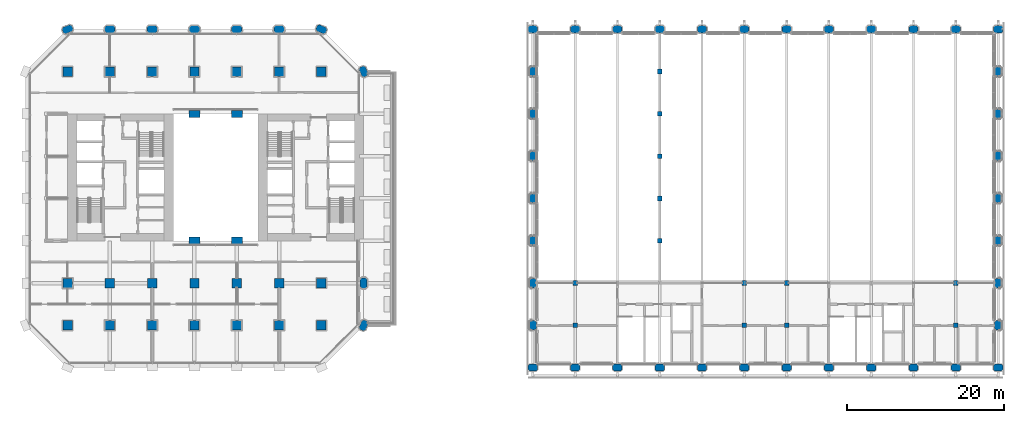
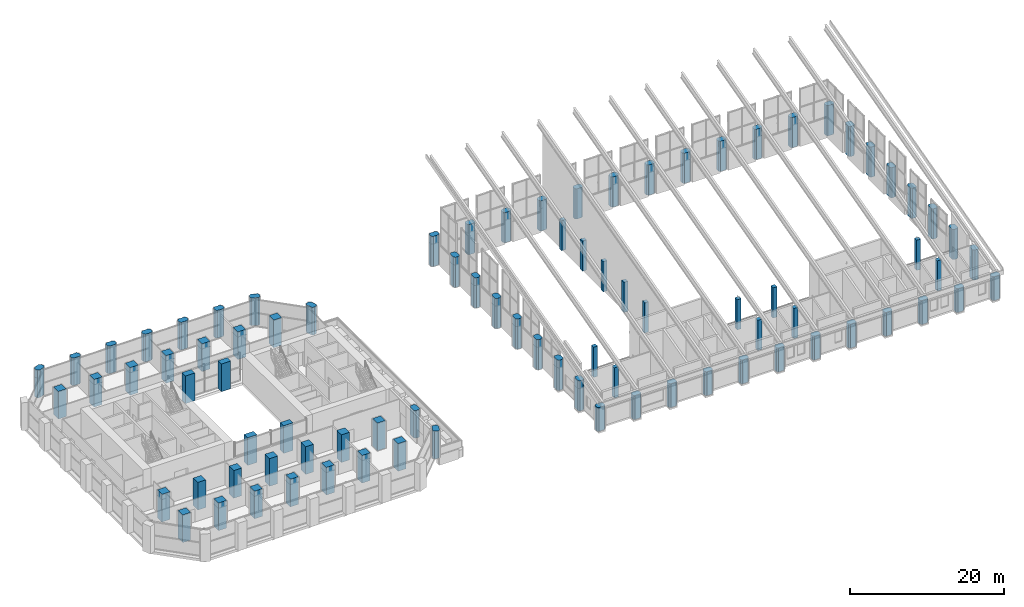
# One storey, part 1 of 42: 86 columns.
"""IFC4 building model written with IfcOpenShell, lengths in metres."""

import ifcopenshell
import ifcopenshell.guid

model = None  # the IFC model being written
_history = None  # IfcOwnerHistory: only IFC2X3 demands one
_inside = {}  # id of a spatial element -> (the spatial element, [elements in it])
_under = {}  # id of a project, library or spatial element -> (it, [spatial elements below it])
_declared = {}  # id of a project -> (the project, [libraries it declares])
_typed = {}  # id of a type object -> (the type object, [elements of that type])
_made_of = {}  # id of a material, layer set ... -> (it, [elements and type objects made of it])


def new_model(schema):
    """Start an empty IFC model of exactly this schema.

    Asked for "IFC4X3", IfcOpenShell would pick the latest addendum, in which some entities
    have other attributes; the version numbers below select the first issue.
    IFC2X3 requires an IfcOwnerHistory on every rooted entity: one is made here for all.
    """
    global model, _history
    if schema == "IFC4X3":
        model = ifcopenshell.file(schema_version=(4, 3, 0, 0))
    else:
        model = ifcopenshell.file(schema=schema)
    _inside.clear()
    _under.clear()
    _declared.clear()
    _typed.clear()
    _made_of.clear()
    _history = None
    if model.schema == "IFC2X3":
        org = make("IfcOrganization", Name="unknown")
        user = make(
            "IfcPersonAndOrganization",
            ThePerson=make("IfcPerson", FamilyName="unknown"),
            TheOrganization=org,
        )
        app = make(
            "IfcApplication",
            ApplicationDeveloper=org,
            Version="unknown",
            ApplicationFullName="unknown",
            ApplicationIdentifier="unknown",
        )
        _history = make(
            "IfcOwnerHistory",
            OwningUser=user,
            OwningApplication=app,
            ChangeAction="ADDED",
            CreationDate=0,
        )
    return model


def make(cls, **values):
    """One entity of the class cls with the attributes given. An attribute that is None is left unset."""
    return model.create_entity(
        cls, **{name: value for name, value in values.items() if value is not None}
    )


def rooted(cls, **values):
    """An entity with a GlobalId (a new one), such as an element, a storey or a relation."""
    return make(cls, GlobalId=ifcopenshell.guid.new(), OwnerHistory=_history, **values)


def si_unit(unit_type, name, prefix=None):
    """IfcSIUnit, for example si_unit("LENGTHUNIT", "METRE", prefix="MILLI")."""
    return make("IfcSIUnit", UnitType=unit_type, Prefix=prefix, Name=name)


def assignment(units):
    """IfcUnitAssignment: the units of a project."""
    return None if units is None else make("IfcUnitAssignment", Units=units)


def point(xyz):
    """IfcCartesianPoint."""
    return None if xyz is None else make("IfcCartesianPoint", Coordinates=xyz)


def direction(xyz):
    """IfcDirection."""
    return None if xyz is None else make("IfcDirection", DirectionRatios=xyz)


def frame(location, z_axis=None, x_axis=None):
    """IfcAxis2Placement3D, a coordinate frame: its origin and axes. An axis left out is left unset."""
    return make(
        "IfcAxis2Placement3D",
        Location=point(location),
        Axis=direction(z_axis),
        RefDirection=direction(x_axis),
    )


def frame_2d(location, x_axis=None):
    """IfcAxis2Placement2D, a coordinate frame in the plane: its origin and x axis."""
    return make(
        "IfcAxis2Placement2D", Location=point(location), RefDirection=direction(x_axis)
    )


def origin():
    """The frame at (0, 0, 0) with its axes left unset."""
    return frame((0.0, 0.0, 0.0))


def origin_2d():
    """The frame at (0, 0) in the plane with its x axis left unset."""
    return frame_2d((0.0, 0.0))


def place(relative_to, where):
    """IfcLocalPlacement: puts the frame where relative to a parent placement (None: the world)."""
    return make(
        "IfcLocalPlacement", PlacementRelTo=relative_to, RelativePlacement=where
    )


def context(
    kind, dimensions, precision=None, world=None, true_north=None, identifier=None
):
    """IfcGeometricRepresentationContext, for example the 3D "Model" context."""
    return make(
        "IfcGeometricRepresentationContext",
        ContextIdentifier=identifier,
        ContextType=kind,
        CoordinateSpaceDimension=dimensions,
        Precision=precision,
        WorldCoordinateSystem=world,
        TrueNorth=true_north,
    )


def subcontext(parent, identifier, kind, view, scale=None):
    """IfcGeometricRepresentationSubContext, for example "Body" below "Model"."""
    return make(
        "IfcGeometricRepresentationSubContext",
        ContextIdentifier=identifier,
        ContextType=kind,
        ParentContext=parent,
        TargetScale=scale,
        TargetView=view,
    )


def project(units=None, contexts=None):
    """IfcProject with its units and contexts."""
    return rooted(
        "IfcProject",
        Name="project",
        RepresentationContexts=contexts,
        UnitsInContext=assignment(units),
    )


def spatial(cls, under=None, at=None, **own):
    """A site, building, storey or space (cls), placed at a placement, below another one or the project."""
    s = rooted(cls, ObjectPlacement=at, **own)
    if under is not None:
        _under.setdefault(under.id(), (under, []))[1].append(s)
    return s


def polyline(points):
    """IfcPolyline through the points."""
    return make("IfcPolyline", Points=[point(p) for p in points])


def profile(cls, at=None, kind="AREA", **sizes):
    """A parametric profile (cls). Its sizes go by their IFC names, for example OverallWidth=200.0."""
    return make(cls, ProfileType=kind, Position=at, **sizes)


def rectangle(**sizes):
    """IfcRectangleProfileDef."""
    return profile("IfcRectangleProfileDef", **sizes)


def outline(outer, holes=None, kind="AREA"):
    """IfcArbitraryClosedProfileDef: a profile drawn as a closed curve; with holes, ...WithVoids."""
    if holes is None:
        return make("IfcArbitraryClosedProfileDef", ProfileType=kind, OuterCurve=outer)
    return make(
        "IfcArbitraryProfileDefWithVoids",
        ProfileType=kind,
        OuterCurve=outer,
        InnerCurves=holes,
    )


def extrude(swept, where, along, depth):
    """IfcExtrudedAreaSolid: the profile swept, set in the frame where, extruded along a direction by depth."""
    return make(
        "IfcExtrudedAreaSolid",
        SweptArea=swept,
        Position=where,
        ExtrudedDirection=direction(along),
        Depth=depth,
    )


def shape(context_of_items, identifier, shape_type, items):
    """IfcShapeRepresentation: the items that make up one representation, for example the "Body"."""
    return make(
        "IfcShapeRepresentation",
        ContextOfItems=context_of_items,
        RepresentationIdentifier=identifier,
        RepresentationType=shape_type,
        Items=items,
    )


def material(Name=None, Category=None):
    """IfcMaterial."""
    return make("IfcMaterial", Name=Name, Category=Category)


def material_profile(
    of_material, cross_section, Name=None, Category=None, Priority=None
):
    """IfcMaterialProfile: a cross section and its material."""
    return make(
        "IfcMaterialProfile",
        Name=Name,
        Material=of_material,
        Profile=cross_section,
        Priority=Priority,
        Category=Category,
    )


def profile_set(profiles, Name=None, composite=None):
    """IfcMaterialProfileSet."""
    return make(
        "IfcMaterialProfileSet",
        Name=Name,
        MaterialProfiles=profiles,
        CompositeProfile=composite,
    )


def made_of(thing, what):
    """Note that an element or type object is made of a material, layer set ...; save() writes the relation."""
    if what is not None:
        _made_of.setdefault(what.id(), (what, []))[1].append(thing)
    return thing


def type_object(cls, material=None, **own):
    """A type object (cls), such as IfcWallType, which elements share."""
    return made_of(rooted(cls, **own), material)


def element(
    cls,
    number,
    at=None,
    inside=None,
    cuts=None,
    type_object=None,
    material=None,
    context=None,
    identifier="Body",
    shape_type=None,
    held_by="IfcProductDefinitionShape",
    body=None,
    shapes=None,
    **own,
):
    """One element of the class cls, such as IfcWall. Its Tag is "e" and its number.

    at: its placement. inside: the storey or other place that contains it. cuts: it is an
    opening in that element (IfcRelVoidsElement). A single representation is given by context,
    identifier, shape_type and body (its items); several are given by shapes. held_by: the class
    of the entity that holds the representations. save() writes the other relations.
    """
    e = rooted(cls, Tag="e%d" % number, ObjectPlacement=at, **own)
    if body is not None:
        shapes = [shape(context, identifier, shape_type, body)]
    if shapes is not None:
        e.Representation = make(held_by, Representations=shapes)
    if inside is not None:
        _inside.setdefault(inside.id(), (inside, []))[1].append(e)
    if cuts is not None:
        rooted(
            "IfcRelVoidsElement", RelatingBuildingElement=cuts, RelatedOpeningElement=e
        )
    if type_object is not None:
        _typed.setdefault(type_object.id(), (type_object, []))[1].append(e)
    return made_of(e, material)


def aggregate(whole, parts):
    """IfcRelAggregates: a whole, such as a stair, and the parts it consists of."""
    return rooted("IfcRelAggregates", RelatingObject=whole, RelatedObjects=parts)


def save(model, path):
    """Write the relations noted so far, then the file.

    IfcRelAggregates (storeys below a building ...), IfcRelContainedInSpatialStructure (elements
    in a storey), IfcRelDefinesByType, IfcRelAssociatesMaterial and IfcRelDeclares: one each for
    every whole, place, type object, material and project.
    """
    for whole, parts in _under.values():
        aggregate(whole, parts)
    for where, things in _inside.values():
        rooted(
            "IfcRelContainedInSpatialStructure",
            RelatedElements=things,
            RelatingStructure=where,
        )
    for kind, things in _typed.values():
        rooted("IfcRelDefinesByType", RelatedObjects=things, RelatingType=kind)
    for what, things in _made_of.values():
        rooted("IfcRelAssociatesMaterial", RelatedObjects=things, RelatingMaterial=what)
    for by, libraries in _declared.values():
        rooted("IfcRelDeclares", RelatingContext=by, RelatedDefinitions=libraries)
    model.write(path)


model = new_model("IFC4")

# Units and contexts
model_context = context("Model", 3, precision=1e-05, world=origin(), true_north=direction((0.0, 1.0)))
body_context = subcontext(model_context, "Body", "Model", "MODEL_VIEW")
ifc_project = project(units=[si_unit("LENGTHUNIT", "METRE"), si_unit("AREAUNIT", "SQUARE_METRE"), si_unit("VOLUMEUNIT", "CUBIC_METRE"), si_unit("PLANEANGLEUNIT", "RADIAN"), si_unit("MASSUNIT", "GRAM", prefix="KILO")], contexts=[model_context])

# Site, building, storey
site_placement = place(None, origin())
site = spatial("IfcSite", under=ifc_project, at=site_placement, CompositionType="ELEMENT")
building_placement = place(site_placement, origin())
building = spatial("IfcBuilding", under=site, at=building_placement, Name="Tabaq Tower and Sports Hall", CompositionType="ELEMENT")
storey_placement = place(building_placement, frame((0.0, 0.0, 19.800048828125)))
storey = spatial("IfcBuildingStorey", under=building, at=storey_placement, Name="L03", CompositionType="ELEMENT", Elevation=19.800048828125)

# Columns
ifc_material_1 = material(Name="Concrete C50/60", Category="concrete")
ifc_material_profile_1 = material_profile(ifc_material_1, rectangle(XDim=0.60009765625, YDim=0.60009765625, at=origin_2d()), Name="RC 600x600")
ifc_profile_set_1 = profile_set([ifc_material_profile_1], Name="Concrete C50/60")
column_type_1 = type_object("IfcColumnType", Name="HALL COLUMN RC 600x600", PredefinedType="COLUMN", material=ifc_profile_set_1)
for number, where, z_axis, x_axis, name in (
    (1, (70.199951171875, 5.39990234375, 0.0), (0.0, 0.0, 1.0), (1.0, 0.0, 0.0), "Column 14B L03"),
    (2, (70.199951171875, 10.800048828125, 0.0), (0.0, 0.0, 1.0), (1.0, 0.0, 0.0), "Column 14C L03"),
    (3, (81.0, 16.199951171875, 0.0), (0.0, 0.0, 1.0), (1.0, 0.0, 0.0), "Column 16D L03"),
    (4, (81.0, 21.60009765625, 0.0), (0.0, 0.0, 1.0), (1.0, 0.0, 0.0), "Column 16E L03"),
    (5, (81.0, 27.0, 0.0), (0.0, 0.0, 1.0), (1.0, 0.0, 0.0), "Column 16F L03"),
    (6, (81.0, 32.39990234375, 0.0), (0.0, 0.0, 1.0), (1.0, 0.0, 0.0), "Column 16G L03"),
    (7, (81.0, 37.800048828125, 0.0), (0.0, 0.0, 1.0), (1.0, 0.0, 0.0), "Column 16H L03"),
    (8, (91.800048828125, 5.39990234375, 0.0), (0.0, 0.0, 1.0), (1.0, 0.0, 0.0), "Column 18B L03"),
    (9, (91.800048828125, 10.800048828125, 0.0), (0.0, 0.0, 1.0), (1.0, 0.0, 0.0), "Column 18C L03"),
    (10, (97.199951171875, 5.39990234375, 0.0), (0.0, 0.0, 1.0), (1.0, 0.0, 0.0), "Column 19B L03"),
    (11, (97.199951171875, 10.800048828125, 0.0), (0.0, 0.0, 1.0), (1.0, 0.0, 0.0), "Column 19C L03"),
    (12, (118.800048828125, 5.39990234375, 0.0), (0.0, 0.0, 1.0), (1.0, 0.0, 0.0), "Column 23B L03"),
    (13, (118.800048828125, 10.800048828125, 0.0), (0.0, 0.0, 1.0), (1.0, 0.0, 0.0), "Column 23C L03"),
):
    element("IfcColumn", number, at=place(storey_placement, frame(where, z_axis=z_axis, x_axis=x_axis)), inside=storey, type_object=column_type_1, Name=name, PredefinedType="COLUMN", context=body_context, shape_type="SweptSolid", body=[
        extrude(rectangle(XDim=0.60009765625, YDim=0.60009765625, at=origin_2d()), origin(), (0.0, 0.0, 1.0), 4.800048828125),
    ])
ifc_material_2 = material(Name="Concrete C50/60", Category="concrete")
ifc_material_profile_2 = material_profile(ifc_material_2, outline(polyline([(-0.39990234375, -0.449951171875), (0.39990234375, -0.449951171875), (0.60009765625, -0.25), (0.60009765625, 0.25), (0.39990234375, 0.449951171875), (-0.39990234375, 0.449951171875), (-0.60009765625, 0.25), (-0.60009765625, -0.25), (-0.39990234375, -0.449951171875)])), Name="PIER 1200x900")
ifc_profile_set_2 = profile_set([ifc_material_profile_2], Name="Concrete C50/60")
column_type_2 = type_object("IfcColumnType", Name="HALL PIER RC 1200x900", PredefinedType="COLUMN", material=ifc_profile_set_2)
column_1_placement = place(storey_placement, frame((64.800048828125, 0.0, 0.0), z_axis=(0.0, 0.0, 1.0), x_axis=(1.0, 0.0, 0.0)))
element("IfcColumn", 14, at=column_1_placement, inside=storey, type_object=column_type_2, Name="Pier 13A L03", PredefinedType="COLUMN", context=body_context, shape_type="SweptSolid", body=[
    extrude(outline(polyline([(-0.39990234375, -0.449951171875), (0.39990234375, -0.449951171875), (0.60009765625, -0.25), (0.60009765625, 0.25), (0.39990234375, 0.449951171875), (-0.39990234375, 0.449951171875), (-0.60009765625, 0.25), (-0.60009765625, -0.25), (-0.39990234375, -0.449951171875)])), origin(), (0.0, 0.0, 1.0), 3.801513671875),
])
for number, where, z_axis, x_axis, name in (
    (15, (64.800048828125, 5.39990234375, 0.0), (0.0, 0.0, 1.0), (0.0, 1.0, 0.0), "Pier 13B L03"),
    (16, (64.800048828125, 10.800048828125, 0.0), (0.0, 0.0, 1.0), (0.0, 1.0, 0.0), "Pier 13C L03"),
    (17, (64.800048828125, 16.199951171875, 0.0), (0.0, 0.0, 1.0), (0.0, 1.0, 0.0), "Pier 13D L03"),
    (18, (64.800048828125, 21.60009765625, 0.0), (0.0, 0.0, 1.0), (0.0, 1.0, 0.0), "Pier 13E L03"),
    (19, (64.800048828125, 27.0, 0.0), (0.0, 0.0, 1.0), (0.0, 1.0, 0.0), "Pier 13F L03"),
    (20, (64.800048828125, 32.39990234375, 0.0), (0.0, 0.0, 1.0), (0.0, 1.0, 0.0), "Pier 13G L03"),
    (21, (64.800048828125, 37.800048828125, 0.0), (0.0, 0.0, 1.0), (0.0, 1.0, 0.0), "Pier 13H L03"),
    (22, (64.800048828125, 43.199951171875, 0.0), (0.0, 0.0, 1.0), (1.0, 0.0, 0.0), "Pier 13I L03"),
):
    element("IfcColumn", number, at=place(storey_placement, frame(where, z_axis=z_axis, x_axis=x_axis)), inside=storey, type_object=column_type_2, Name=name, PredefinedType="COLUMN", context=body_context, shape_type="SweptSolid", body=[
        extrude(outline(polyline([(-0.39990234375, -0.449951171875), (0.39990234375, -0.449951171875), (0.60009765625, -0.25), (0.60009765625, 0.25), (0.39990234375, 0.449951171875), (-0.39990234375, 0.449951171875), (-0.60009765625, 0.25), (-0.60009765625, -0.25), (-0.39990234375, -0.449951171875)])), origin(), (0.0, 0.0, 1.0), 4.800048828125),
    ])
column_2_placement = place(storey_placement, frame((70.199951171875, 0.0, 0.0), z_axis=(0.0, 0.0, 1.0), x_axis=(1.0, 0.0, 0.0)))
element("IfcColumn", 23, at=column_2_placement, inside=storey, type_object=column_type_2, Name="Pier 14A L03", PredefinedType="COLUMN", context=body_context, shape_type="SweptSolid", body=[
    extrude(outline(polyline([(-0.39990234375, -0.449951171875), (0.39990234375, -0.449951171875), (0.60009765625, -0.25), (0.60009765625, 0.25), (0.39990234375, 0.449951171875), (-0.39990234375, 0.449951171875), (-0.60009765625, 0.25), (-0.60009765625, -0.25), (-0.39990234375, -0.449951171875)])), origin(), (0.0, 0.0, 1.0), 3.801513671875),
])
column_3_placement = place(storey_placement, frame((70.199951171875, 43.199951171875, 0.0), z_axis=(0.0, 0.0, 1.0), x_axis=(1.0, 0.0, 0.0)))
element("IfcColumn", 24, at=column_3_placement, inside=storey, type_object=column_type_2, Name="Pier 14I L03", PredefinedType="COLUMN", context=body_context, shape_type="SweptSolid", body=[
    extrude(outline(polyline([(-0.39990234375, -0.449951171875), (0.39990234375, -0.449951171875), (0.60009765625, -0.25), (0.60009765625, 0.25), (0.39990234375, 0.449951171875), (-0.39990234375, 0.449951171875), (-0.60009765625, 0.25), (-0.60009765625, -0.25), (-0.39990234375, -0.449951171875)])), origin(), (0.0, 0.0, 1.0), 4.800048828125),
])
column_4_placement = place(storey_placement, frame((75.60009765625, 0.0, 0.0), z_axis=(0.0, 0.0, 1.0), x_axis=(1.0, 0.0, 0.0)))
element("IfcColumn", 25, at=column_4_placement, inside=storey, type_object=column_type_2, Name="Pier 15A L03", PredefinedType="COLUMN", context=body_context, shape_type="SweptSolid", body=[
    extrude(outline(polyline([(-0.39990234375, -0.449951171875), (0.39990234375, -0.449951171875), (0.60009765625, -0.25), (0.60009765625, 0.25), (0.39990234375, 0.449951171875), (-0.39990234375, 0.449951171875), (-0.60009765625, 0.25), (-0.60009765625, -0.25), (-0.39990234375, -0.449951171875)])), origin(), (0.0, 0.0, 1.0), 3.801513671875),
])
column_5_placement = place(storey_placement, frame((75.60009765625, 43.199951171875, 0.0), z_axis=(0.0, 0.0, 1.0), x_axis=(1.0, 0.0, 0.0)))
element("IfcColumn", 26, at=column_5_placement, inside=storey, type_object=column_type_2, Name="Pier 15I L03", PredefinedType="COLUMN", context=body_context, shape_type="SweptSolid", body=[
    extrude(outline(polyline([(-0.39990234375, -0.449951171875), (0.39990234375, -0.449951171875), (0.60009765625, -0.25), (0.60009765625, 0.25), (0.39990234375, 0.449951171875), (-0.39990234375, 0.449951171875), (-0.60009765625, 0.25), (-0.60009765625, -0.25), (-0.39990234375, -0.449951171875)])), origin(), (0.0, 0.0, 1.0), 4.800048828125),
])
column_6_placement = place(storey_placement, frame((81.0, 0.0, 0.0), z_axis=(0.0, 0.0, 1.0), x_axis=(1.0, 0.0, 0.0)))
element("IfcColumn", 27, at=column_6_placement, inside=storey, type_object=column_type_2, Name="Pier 16A L03", PredefinedType="COLUMN", context=body_context, shape_type="SweptSolid", body=[
    extrude(outline(polyline([(-0.39990234375, -0.449951171875), (0.39990234375, -0.449951171875), (0.60009765625, -0.25), (0.60009765625, 0.25), (0.39990234375, 0.449951171875), (-0.39990234375, 0.449951171875), (-0.60009765625, 0.25), (-0.60009765625, -0.25), (-0.39990234375, -0.449951171875)])), origin(), (0.0, 0.0, 1.0), 3.801513671875),
])
column_7_placement = place(storey_placement, frame((81.0, 43.199951171875, 0.0), z_axis=(0.0, 0.0, 1.0), x_axis=(1.0, 0.0, 0.0)))
element("IfcColumn", 28, at=column_7_placement, inside=storey, type_object=column_type_2, Name="Pier 16I L03", PredefinedType="COLUMN", context=body_context, shape_type="SweptSolid", body=[
    extrude(outline(polyline([(-0.39990234375, -0.449951171875), (0.39990234375, -0.449951171875), (0.60009765625, -0.25), (0.60009765625, 0.25), (0.39990234375, 0.449951171875), (-0.39990234375, 0.449951171875), (-0.60009765625, 0.25), (-0.60009765625, -0.25), (-0.39990234375, -0.449951171875)])), origin(), (0.0, 0.0, 1.0), 4.800048828125),
])
column_8_placement = place(storey_placement, frame((86.39990234375, 0.0, 0.0), z_axis=(0.0, 0.0, 1.0), x_axis=(1.0, 0.0, 0.0)))
element("IfcColumn", 29, at=column_8_placement, inside=storey, type_object=column_type_2, Name="Pier 17A L03", PredefinedType="COLUMN", context=body_context, shape_type="SweptSolid", body=[
    extrude(outline(polyline([(-0.39990234375, -0.449951171875), (0.39990234375, -0.449951171875), (0.60009765625, -0.25), (0.60009765625, 0.25), (0.39990234375, 0.449951171875), (-0.39990234375, 0.449951171875), (-0.60009765625, 0.25), (-0.60009765625, -0.25), (-0.39990234375, -0.449951171875)])), origin(), (0.0, 0.0, 1.0), 3.801513671875),
])
column_9_placement = place(storey_placement, frame((86.39990234375, 43.199951171875, 0.0), z_axis=(0.0, 0.0, 1.0), x_axis=(1.0, 0.0, 0.0)))
element("IfcColumn", 30, at=column_9_placement, inside=storey, type_object=column_type_2, Name="Pier 17I L03", PredefinedType="COLUMN", context=body_context, shape_type="SweptSolid", body=[
    extrude(outline(polyline([(-0.39990234375, -0.449951171875), (0.39990234375, -0.449951171875), (0.60009765625, -0.25), (0.60009765625, 0.25), (0.39990234375, 0.449951171875), (-0.39990234375, 0.449951171875), (-0.60009765625, 0.25), (-0.60009765625, -0.25), (-0.39990234375, -0.449951171875)])), origin(), (0.0, 0.0, 1.0), 4.800048828125),
])
column_10_placement = place(storey_placement, frame((91.800048828125, 0.0, 0.0), z_axis=(0.0, 0.0, 1.0), x_axis=(1.0, 0.0, 0.0)))
element("IfcColumn", 31, at=column_10_placement, inside=storey, type_object=column_type_2, Name="Pier 18A L03", PredefinedType="COLUMN", context=body_context, shape_type="SweptSolid", body=[
    extrude(outline(polyline([(-0.39990234375, -0.449951171875), (0.39990234375, -0.449951171875), (0.60009765625, -0.25), (0.60009765625, 0.25), (0.39990234375, 0.449951171875), (-0.39990234375, 0.449951171875), (-0.60009765625, 0.25), (-0.60009765625, -0.25), (-0.39990234375, -0.449951171875)])), origin(), (0.0, 0.0, 1.0), 3.801513671875),
])
column_11_placement = place(storey_placement, frame((91.800048828125, 43.199951171875, 0.0), z_axis=(0.0, 0.0, 1.0), x_axis=(1.0, 0.0, 0.0)))
element("IfcColumn", 32, at=column_11_placement, inside=storey, type_object=column_type_2, Name="Pier 18I L03", PredefinedType="COLUMN", context=body_context, shape_type="SweptSolid", body=[
    extrude(outline(polyline([(-0.39990234375, -0.449951171875), (0.39990234375, -0.449951171875), (0.60009765625, -0.25), (0.60009765625, 0.25), (0.39990234375, 0.449951171875), (-0.39990234375, 0.449951171875), (-0.60009765625, 0.25), (-0.60009765625, -0.25), (-0.39990234375, -0.449951171875)])), origin(), (0.0, 0.0, 1.0), 4.800048828125),
])
column_12_placement = place(storey_placement, frame((97.199951171875, 0.0, 0.0), z_axis=(0.0, 0.0, 1.0), x_axis=(1.0, 0.0, 0.0)))
element("IfcColumn", 33, at=column_12_placement, inside=storey, type_object=column_type_2, Name="Pier 19A L03", PredefinedType="COLUMN", context=body_context, shape_type="SweptSolid", body=[
    extrude(outline(polyline([(-0.39990234375, -0.449951171875), (0.39990234375, -0.449951171875), (0.60009765625, -0.25), (0.60009765625, 0.25), (0.39990234375, 0.449951171875), (-0.39990234375, 0.449951171875), (-0.60009765625, 0.25), (-0.60009765625, -0.25), (-0.39990234375, -0.449951171875)])), origin(), (0.0, 0.0, 1.0), 3.801513671875),
])
column_13_placement = place(storey_placement, frame((97.199951171875, 43.199951171875, 0.0), z_axis=(0.0, 0.0, 1.0), x_axis=(1.0, 0.0, 0.0)))
element("IfcColumn", 34, at=column_13_placement, inside=storey, type_object=column_type_2, Name="Pier 19I L03", PredefinedType="COLUMN", context=body_context, shape_type="SweptSolid", body=[
    extrude(outline(polyline([(-0.39990234375, -0.449951171875), (0.39990234375, -0.449951171875), (0.60009765625, -0.25), (0.60009765625, 0.25), (0.39990234375, 0.449951171875), (-0.39990234375, 0.449951171875), (-0.60009765625, 0.25), (-0.60009765625, -0.25), (-0.39990234375, -0.449951171875)])), origin(), (0.0, 0.0, 1.0), 4.800048828125),
])
column_14_placement = place(storey_placement, frame((102.60009765625, 0.0, 0.0), z_axis=(0.0, 0.0, 1.0), x_axis=(1.0, 0.0, 0.0)))
element("IfcColumn", 35, at=column_14_placement, inside=storey, type_object=column_type_2, Name="Pier 20A L03", PredefinedType="COLUMN", context=body_context, shape_type="SweptSolid", body=[
    extrude(outline(polyline([(-0.39990234375, -0.449951171875), (0.39990234375, -0.449951171875), (0.60009765625, -0.25), (0.60009765625, 0.25), (0.39990234375, 0.449951171875), (-0.39990234375, 0.449951171875), (-0.60009765625, 0.25), (-0.60009765625, -0.25), (-0.39990234375, -0.449951171875)])), origin(), (0.0, 0.0, 1.0), 3.801513671875),
])
column_15_placement = place(storey_placement, frame((102.60009765625, 43.199951171875, 0.0), z_axis=(0.0, 0.0, 1.0), x_axis=(1.0, 0.0, 0.0)))
element("IfcColumn", 36, at=column_15_placement, inside=storey, type_object=column_type_2, Name="Pier 20I L03", PredefinedType="COLUMN", context=body_context, shape_type="SweptSolid", body=[
    extrude(outline(polyline([(-0.39990234375, -0.449951171875), (0.39990234375, -0.449951171875), (0.60009765625, -0.25), (0.60009765625, 0.25), (0.39990234375, 0.449951171875), (-0.39990234375, 0.449951171875), (-0.60009765625, 0.25), (-0.60009765625, -0.25), (-0.39990234375, -0.449951171875)])), origin(), (0.0, 0.0, 1.0), 4.800048828125),
])
column_16_placement = place(storey_placement, frame((108.0, 0.0, 0.0), z_axis=(0.0, 0.0, 1.0), x_axis=(1.0, 0.0, 0.0)))
element("IfcColumn", 37, at=column_16_placement, inside=storey, type_object=column_type_2, Name="Pier 21A L03", PredefinedType="COLUMN", context=body_context, shape_type="SweptSolid", body=[
    extrude(outline(polyline([(-0.39990234375, -0.449951171875), (0.39990234375, -0.449951171875), (0.60009765625, -0.25), (0.60009765625, 0.25), (0.39990234375, 0.449951171875), (-0.39990234375, 0.449951171875), (-0.60009765625, 0.25), (-0.60009765625, -0.25), (-0.39990234375, -0.449951171875)])), origin(), (0.0, 0.0, 1.0), 3.801513671875),
])
column_17_placement = place(storey_placement, frame((108.0, 43.199951171875, 0.0), z_axis=(0.0, 0.0, 1.0), x_axis=(1.0, 0.0, 0.0)))
element("IfcColumn", 38, at=column_17_placement, inside=storey, type_object=column_type_2, Name="Pier 21I L03", PredefinedType="COLUMN", context=body_context, shape_type="SweptSolid", body=[
    extrude(outline(polyline([(-0.39990234375, -0.449951171875), (0.39990234375, -0.449951171875), (0.60009765625, -0.25), (0.60009765625, 0.25), (0.39990234375, 0.449951171875), (-0.39990234375, 0.449951171875), (-0.60009765625, 0.25), (-0.60009765625, -0.25), (-0.39990234375, -0.449951171875)])), origin(), (0.0, 0.0, 1.0), 4.800048828125),
])
column_18_placement = place(storey_placement, frame((113.39990234375, 0.0, 0.0), z_axis=(0.0, 0.0, 1.0), x_axis=(1.0, 0.0, 0.0)))
element("IfcColumn", 39, at=column_18_placement, inside=storey, type_object=column_type_2, Name="Pier 22A L03", PredefinedType="COLUMN", context=body_context, shape_type="SweptSolid", body=[
    extrude(outline(polyline([(-0.39990234375, -0.449951171875), (0.39990234375, -0.449951171875), (0.60009765625, -0.25), (0.60009765625, 0.25), (0.39990234375, 0.449951171875), (-0.39990234375, 0.449951171875), (-0.60009765625, 0.25), (-0.60009765625, -0.25), (-0.39990234375, -0.449951171875)])), origin(), (0.0, 0.0, 1.0), 3.801513671875),
])
column_19_placement = place(storey_placement, frame((113.39990234375, 43.199951171875, 0.0), z_axis=(0.0, 0.0, 1.0), x_axis=(1.0, 0.0, 0.0)))
element("IfcColumn", 40, at=column_19_placement, inside=storey, type_object=column_type_2, Name="Pier 22I L03", PredefinedType="COLUMN", context=body_context, shape_type="SweptSolid", body=[
    extrude(outline(polyline([(-0.39990234375, -0.449951171875), (0.39990234375, -0.449951171875), (0.60009765625, -0.25), (0.60009765625, 0.25), (0.39990234375, 0.449951171875), (-0.39990234375, 0.449951171875), (-0.60009765625, 0.25), (-0.60009765625, -0.25), (-0.39990234375, -0.449951171875)])), origin(), (0.0, 0.0, 1.0), 4.800048828125),
])
column_20_placement = place(storey_placement, frame((118.800048828125, 0.0, 0.0), z_axis=(0.0, 0.0, 1.0), x_axis=(1.0, 0.0, 0.0)))
element("IfcColumn", 41, at=column_20_placement, inside=storey, type_object=column_type_2, Name="Pier 23A L03", PredefinedType="COLUMN", context=body_context, shape_type="SweptSolid", body=[
    extrude(outline(polyline([(-0.39990234375, -0.449951171875), (0.39990234375, -0.449951171875), (0.60009765625, -0.25), (0.60009765625, 0.25), (0.39990234375, 0.449951171875), (-0.39990234375, 0.449951171875), (-0.60009765625, 0.25), (-0.60009765625, -0.25), (-0.39990234375, -0.449951171875)])), origin(), (0.0, 0.0, 1.0), 3.801513671875),
])
column_21_placement = place(storey_placement, frame((118.800048828125, 43.199951171875, 0.0), z_axis=(0.0, 0.0, 1.0), x_axis=(1.0, 0.0, 0.0)))
element("IfcColumn", 42, at=column_21_placement, inside=storey, type_object=column_type_2, Name="Pier 23I L03", PredefinedType="COLUMN", context=body_context, shape_type="SweptSolid", body=[
    extrude(outline(polyline([(-0.39990234375, -0.449951171875), (0.39990234375, -0.449951171875), (0.60009765625, -0.25), (0.60009765625, 0.25), (0.39990234375, 0.449951171875), (-0.39990234375, 0.449951171875), (-0.60009765625, 0.25), (-0.60009765625, -0.25), (-0.39990234375, -0.449951171875)])), origin(), (0.0, 0.0, 1.0), 4.800048828125),
])
column_22_placement = place(storey_placement, frame((124.199951171875, 0.0, 0.0), z_axis=(0.0, 0.0, 1.0), x_axis=(1.0, 0.0, 0.0)))
element("IfcColumn", 43, at=column_22_placement, inside=storey, type_object=column_type_2, Name="Pier 24A L03", PredefinedType="COLUMN", context=body_context, shape_type="SweptSolid", body=[
    extrude(outline(polyline([(-0.39990234375, -0.449951171875), (0.39990234375, -0.449951171875), (0.60009765625, -0.25), (0.60009765625, 0.25), (0.39990234375, 0.449951171875), (-0.39990234375, 0.449951171875), (-0.60009765625, 0.25), (-0.60009765625, -0.25), (-0.39990234375, -0.449951171875)])), origin(), (0.0, 0.0, 1.0), 3.801513671875),
])
for number, where, z_axis, x_axis, name in (
    (44, (124.199951171875, 5.39990234375, 0.0), (0.0, 0.0, 1.0), (0.0, 1.0, 0.0), "Pier 24B L03"),
    (45, (124.199951171875, 10.800048828125, 0.0), (0.0, 0.0, 1.0), (0.0, 1.0, 0.0), "Pier 24C L03"),
    (46, (124.199951171875, 16.199951171875, 0.0), (0.0, 0.0, 1.0), (0.0, 1.0, 0.0), "Pier 24D L03"),
    (47, (124.199951171875, 21.60009765625, 0.0), (0.0, 0.0, 1.0), (0.0, 1.0, 0.0), "Pier 24E L03"),
    (48, (124.199951171875, 27.0, 0.0), (0.0, 0.0, 1.0), (0.0, 1.0, 0.0), "Pier 24F L03"),
    (49, (124.199951171875, 32.39990234375, 0.0), (0.0, 0.0, 1.0), (0.0, 1.0, 0.0), "Pier 24G L03"),
    (50, (124.199951171875, 37.800048828125, 0.0), (0.0, 0.0, 1.0), (0.0, 1.0, 0.0), "Pier 24H L03"),
    (51, (124.199951171875, 43.199951171875, 0.0), (0.0, 0.0, 1.0), (1.0, 0.0, 0.0), "Pier 24I L03"),
):
    element("IfcColumn", number, at=place(storey_placement, frame(where, z_axis=z_axis, x_axis=x_axis)), inside=storey, type_object=column_type_2, Name=name, PredefinedType="COLUMN", context=body_context, shape_type="SweptSolid", body=[
        extrude(outline(polyline([(-0.39990234375, -0.449951171875), (0.39990234375, -0.449951171875), (0.60009765625, -0.25), (0.60009765625, 0.25), (0.39990234375, 0.449951171875), (-0.39990234375, 0.449951171875), (-0.60009765625, 0.25), (-0.60009765625, -0.25), (-0.39990234375, -0.449951171875)])), origin(), (0.0, 0.0, 1.0), 4.800048828125),
    ])
ifc_material_3 = material(Name="Concrete C60/75", Category="concrete")
ifc_material_profile_3 = material_profile(ifc_material_3, rectangle(XDim=1.39990234375, YDim=0.89990234375, at=origin_2d()), Name="ATRIUM COLUMN 1400x900")
ifc_profile_set_3 = profile_set([ifc_material_profile_3], Name="Concrete C60/75")
column_type_3 = type_object("IfcColumnType", Name="RC COLUMN ATRIUM COLUMN 1400x900 C60/75", PredefinedType="COLUMN", material=ifc_profile_set_3)
for number, where, z_axis, x_axis, name in (
    (52, (21.60009765625, 16.199951171875, 0.0), (0.0, 0.0, 1.0), (1.0, 0.0, 0.0), "Atrium Column 5/D L03"),
    (53, (27.0, 16.199951171875, 0.0), (0.0, 0.0, 1.0), (1.0, 0.0, 0.0), "Atrium Column 6/D L03"),
    (54, (21.60009765625, 32.39990234375, 0.0), (0.0, 0.0, 1.0), (1.0, 0.0, 0.0), "Atrium Column 5/G L03"),
    (55, (27.0, 32.39990234375, 0.0), (0.0, 0.0, 1.0), (1.0, 0.0, 0.0), "Atrium Column 6/G L03"),
):
    element("IfcColumn", number, at=place(storey_placement, frame(where, z_axis=z_axis, x_axis=x_axis)), inside=storey, type_object=column_type_3, Name=name, PredefinedType="COLUMN", context=body_context, shape_type="SweptSolid", body=[
        extrude(rectangle(XDim=1.39990234375, YDim=0.89990234375, at=origin_2d()), origin(), (0.0, 0.0, 1.0), 4.39990234375),
    ])
ifc_material_4 = material(Name="Concrete C60/75", Category="concrete")
ifc_material_profile_4 = material_profile(ifc_material_4, rectangle(XDim=1.199951171875, YDim=1.199951171875, at=origin_2d()), Name="COLUMN 1200x1200")
ifc_profile_set_4 = profile_set([ifc_material_profile_4], Name="Concrete C60/75")
column_type_4 = type_object("IfcColumnType", Name="RC COLUMN COLUMN 1200x1200 C60/75", PredefinedType="COLUMN", material=ifc_profile_set_4)
for number, where, z_axis, x_axis, name in (
    (56, (5.39990234375, 5.39990234375, 0.0), (0.0, 0.0, 1.0), (1.0, 0.0, 0.0), "Column 2/B L03"),
    (57, (10.800048828125, 5.39990234375, 0.0), (0.0, 0.0, 1.0), (1.0, 0.0, 0.0), "Column 3/B L03"),
    (58, (16.199951171875, 5.39990234375, 0.0), (0.0, 0.0, 1.0), (1.0, 0.0, 0.0), "Column 4/B L03"),
    (59, (21.60009765625, 5.39990234375, 0.0), (0.0, 0.0, 1.0), (1.0, 0.0, 0.0), "Column 5/B L03"),
    (60, (27.0, 5.39990234375, 0.0), (0.0, 0.0, 1.0), (1.0, 0.0, 0.0), "Column 6/B L03"),
    (61, (32.39990234375, 5.39990234375, 0.0), (0.0, 0.0, 1.0), (1.0, 0.0, 0.0), "Column 7/B L03"),
    (62, (37.800048828125, 5.39990234375, 0.0), (0.0, 0.0, 1.0), (1.0, 0.0, 0.0), "Column 8/B L03"),
    (63, (5.39990234375, 10.800048828125, 0.0), (0.0, 0.0, 1.0), (1.0, 0.0, 0.0), "Column 2/C L03"),
    (64, (10.800048828125, 10.800048828125, 0.0), (0.0, 0.0, 1.0), (1.0, 0.0, 0.0), "Column 3/C L03"),
    (65, (16.199951171875, 10.800048828125, 0.0), (0.0, 0.0, 1.0), (1.0, 0.0, 0.0), "Column 4/C L03"),
    (66, (21.60009765625, 10.800048828125, 0.0), (0.0, 0.0, 1.0), (1.0, 0.0, 0.0), "Column 5/C L03"),
    (67, (27.0, 10.800048828125, 0.0), (0.0, 0.0, 1.0), (1.0, 0.0, 0.0), "Column 6/C L03"),
    (68, (32.39990234375, 10.800048828125, 0.0), (0.0, 0.0, 1.0), (1.0, 0.0, 0.0), "Column 7/C L03"),
    (69, (37.800048828125, 10.800048828125, 0.0), (0.0, 0.0, 1.0), (1.0, 0.0, 0.0), "Column 8/C L03"),
    (70, (5.39990234375, 37.800048828125, 0.0), (0.0, 0.0, 1.0), (1.0, 0.0, 0.0), "Column 2/H L03"),
    (71, (10.800048828125, 37.800048828125, 0.0), (0.0, 0.0, 1.0), (1.0, 0.0, 0.0), "Column 3/H L03"),
    (72, (16.199951171875, 37.800048828125, 0.0), (0.0, 0.0, 1.0), (1.0, 0.0, 0.0), "Column 4/H L03"),
    (73, (21.60009765625, 37.800048828125, 0.0), (0.0, 0.0, 1.0), (1.0, 0.0, 0.0), "Column 5/H L03"),
    (74, (27.0, 37.800048828125, 0.0), (0.0, 0.0, 1.0), (1.0, 0.0, 0.0), "Column 6/H L03"),
    (75, (32.39990234375, 37.800048828125, 0.0), (0.0, 0.0, 1.0), (1.0, 0.0, 0.0), "Column 7/H L03"),
    (76, (37.800048828125, 37.800048828125, 0.0), (0.0, 0.0, 1.0), (1.0, 0.0, 0.0), "Column 8/H L03"),
):
    element("IfcColumn", number, at=place(storey_placement, frame(where, z_axis=z_axis, x_axis=x_axis)), inside=storey, type_object=column_type_4, Name=name, PredefinedType="COLUMN", context=body_context, shape_type="SweptSolid", body=[
        extrude(rectangle(XDim=1.199951171875, YDim=1.199951171875, at=origin_2d()), origin(), (0.0, 0.0, 1.0), 4.39990234375),
    ])
ifc_material_5 = material(Name="Concrete C60/75", Category="concrete")
ifc_material_profile_5 = material_profile(ifc_material_5, outline(polyline([(-0.449951171875, -0.449951171875), (0.449951171875, -0.449951171875), (0.675048828125, -0.22509765625), (0.675048828125, 0.22509765625), (0.449951171875, 0.449951171875), (-0.449951171875, 0.449951171875), (-0.675048828125, 0.22509765625), (-0.675048828125, -0.22509765625), (-0.449951171875, -0.449951171875)])), Name="PIER 1350x900")
ifc_profile_set_5 = profile_set([ifc_material_profile_5], Name="Concrete C60/75")
column_type_5 = type_object("IfcColumnType", Name="RC COLUMN PIER 1350x900 C60/75", PredefinedType="COLUMN", material=ifc_profile_set_5)
for number, where, z_axis, x_axis, name in (
    (77, (43.199951171875, 5.39990234375, 0.0), (0.0, 0.0, 1.0), (0.382683432365, 0.923879532511, 0.0), "Pier 9/B L03"),
    (78, (43.199951171875, 10.800048828125, 0.0), (0.0, 0.0, 1.0), (0.0, 1.0, 0.0), "Pier 9/C L03"),
    (79, (43.199951171875, 37.800048828125, 0.0), (0.0, 0.0, 1.0), (-0.382683432365, 0.923879532511, 0.0), "Pier 9/H L03"),
    (80, (5.39990234375, 43.199951171875, 0.0), (0.0, 0.0, 1.0), (0.923879532511, 0.382683432365, 0.0), "Pier 2/I L03"),
    (81, (10.800048828125, 43.199951171875, 0.0), (0.0, 0.0, 1.0), (1.0, 0.0, 0.0), "Pier 3/I L03"),
    (82, (16.199951171875, 43.199951171875, 0.0), (0.0, 0.0, 1.0), (1.0, 0.0, 0.0), "Pier 4/I L03"),
    (83, (21.60009765625, 43.199951171875, 0.0), (0.0, 0.0, 1.0), (1.0, 0.0, 0.0), "Pier 5/I L03"),
    (84, (27.0, 43.199951171875, 0.0), (0.0, 0.0, 1.0), (1.0, 0.0, 0.0), "Pier 6/I L03"),
    (85, (32.39990234375, 43.199951171875, 0.0), (0.0, 0.0, 1.0), (1.0, 0.0, 0.0), "Pier 7/I L03"),
    (86, (37.800048828125, 43.199951171875, 0.0), (0.0, 0.0, 1.0), (-0.923879532511, 0.382683432365, 0.0), "Pier 8/I L03"),
):
    element("IfcColumn", number, at=place(storey_placement, frame(where, z_axis=z_axis, x_axis=x_axis)), inside=storey, type_object=column_type_5, Name=name, PredefinedType="COLUMN", context=body_context, shape_type="SweptSolid", body=[
        extrude(outline(polyline([(-0.449951171875, -0.449951171875), (0.449951171875, -0.449951171875), (0.675048828125, -0.22509765625), (0.675048828125, 0.22509765625), (0.449951171875, 0.449951171875), (-0.449951171875, 0.449951171875), (-0.675048828125, 0.22509765625), (-0.675048828125, -0.22509765625), (-0.449951171875, -0.449951171875)])), origin(), (0.0, 0.0, 1.0), 4.39990234375),
    ])

save(model, "model.ifc")
